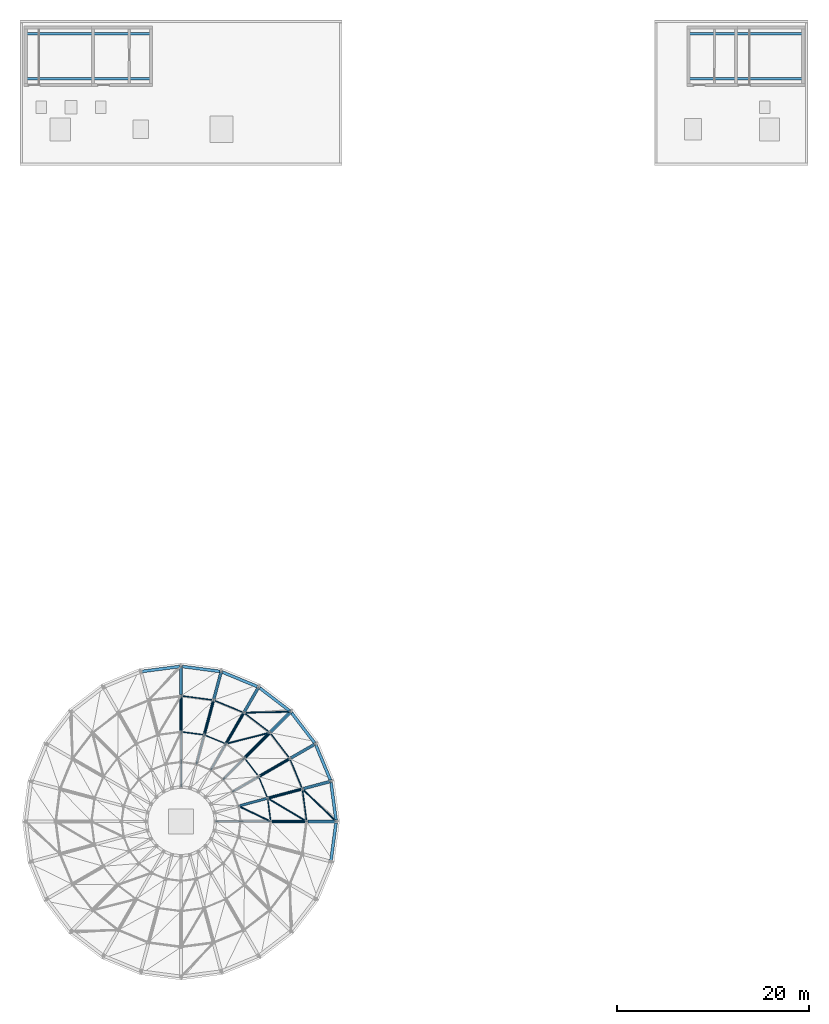
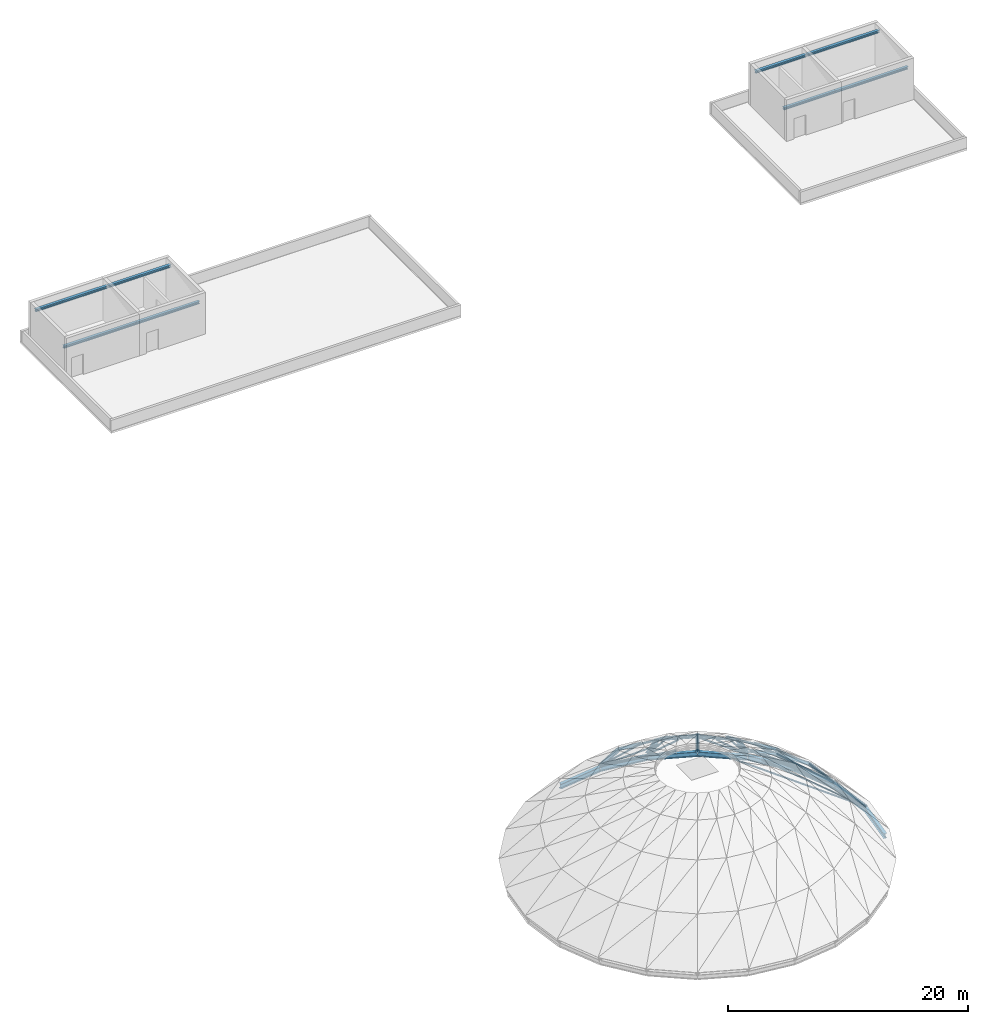
# One storey, part 5 of 19: 32 members, 31 beams.
"""IFC4 building model written with IfcOpenShell, lengths in metres."""

from ifc_helpers import new_model, si_unit, direction, frame, origin, origin_2d, place, context, subcontext, project, spatial, hollow_circle, i_section, extrude, material, material_profile, profile_set, type_object, element, save


model = new_model("IFC4")

# Units and contexts
model_context = context("Model", 3, precision=1e-05, world=origin(), true_north=direction((0.0, 1.0)))
body_context = subcontext(model_context, "Body", "Model", "MODEL_VIEW")
ifc_project = project(units=[si_unit("LENGTHUNIT", "METRE"), si_unit("AREAUNIT", "SQUARE_METRE"), si_unit("VOLUMEUNIT", "CUBIC_METRE"), si_unit("PLANEANGLEUNIT", "RADIAN"), si_unit("MASSUNIT", "GRAM", prefix="KILO")], contexts=[model_context])

# Site, building, storey
site_placement = place(None, origin())
site = spatial("IfcSite", under=ifc_project, at=site_placement, CompositionType="ELEMENT")
building_placement = place(site_placement, origin())
building = spatial("IfcBuilding", under=site, at=building_placement, Name="Montecoro Central Library", CompositionType="ELEMENT")
storey_placement = place(building_placement, frame((0.0, 0.0, 25.5)))
storey = spatial("IfcBuildingStorey", under=building, at=storey_placement, Name="ROOF", CompositionType="ELEMENT", Elevation=25.5)

# Beams
ifc_material_1 = material(Name="Steel S355J2", Category="steel")
ifc_material_profile_1 = material_profile(ifc_material_1, i_section(OverallWidth=0.260009765625, OverallDepth=0.25, WebThickness=0.007568359375, FlangeThickness=0.012451171875, at=origin_2d()), Name="HEA 260")
ifc_profile_set_1 = profile_set([ifc_material_profile_1], Name="Steel S355J2")
beam_type_1 = type_object("IfcBeamType", Name="BM-DR-HEA260", PredefinedType="BEAM", material=ifc_profile_set_1)
beam_1_placement = place(storey_placement, frame((100.631103515625, 37.820068359375, -1.75), z_axis=(-0.832841175818, -0.223182719587, 0.506522506449), x_axis=(0.258844581524, -0.965918983464, 0.0)))
element("IfcBeam", 1, at=beam_1_placement, inside=storey, type_object=beam_type_1, Name="V1-DOME-RIB-02-S3", PredefinedType="BEAM", context=body_context, shape_type="SweptSolid", body=[
    extrude(i_section(OverallWidth=0.260009765625, OverallDepth=0.25, WebThickness=0.007568359375, FlangeThickness=0.012451171875, at=origin_2d()), origin(), (0.0, 0.0, 1.0), 3.652587890625),
])
for number, where, z_axis, x_axis, name in (
    (2, (82.39990234375, 112.85009765625, 2.909912109375), (1.0, 0.0, 0.0), (0.0, 1.0, 0.0), "C2-ROOF-LHPB1"),
    (3, (82.39990234375, 117.550048828125, 3.780029296875), (1.0, 0.0, 0.0), (0.0, 1.0, 0.0), "C2-ROOF-LHPB2"),
):
    element("IfcBeam", number, at=place(storey_placement, frame(where, z_axis=z_axis, x_axis=x_axis)), inside=storey, type_object=beam_type_1, Name=name, PredefinedType="BEAM", context=body_context, shape_type="SweptSolid", body=[
        extrude(i_section(OverallWidth=0.260009765625, OverallDepth=0.25, WebThickness=0.007568359375, FlangeThickness=0.012451171875, at=origin_2d()), origin(), (0.0, 0.0, 1.0), 6.050048828125),
    ])
for number, where, z_axis, x_axis, name in (
    (4, (75.39990234375, 112.85009765625, 2.909912109375), (1.0, 0.0, 0.0), (0.0, 1.0, 0.0), "C2-ROOF-HPB1"),
    (5, (75.39990234375, 117.550048828125, 3.780029296875), (1.0, 0.0, 0.0), (0.0, 1.0, 0.0), "C2-ROOF-HPB2"),
):
    element("IfcBeam", number, at=place(storey_placement, frame(where, z_axis=z_axis, x_axis=x_axis)), inside=storey, type_object=beam_type_1, Name=name, PredefinedType="BEAM", context=body_context, shape_type="SweptSolid", body=[
        extrude(i_section(OverallWidth=0.260009765625, OverallDepth=0.25, WebThickness=0.007568359375, FlangeThickness=0.012451171875, at=origin_2d()), origin(), (0.0, 0.0, 1.0), 7.0),
    ])
for number, where, z_axis, x_axis, name in (
    (6, (144.550048828125, 112.85009765625, 2.909912109375), (1.0, 0.0, 0.0), (0.0, 1.0, 0.0), "C6-ROOF-LHPB1"),
    (7, (144.550048828125, 117.550048828125, 3.780029296875), (1.0, 0.0, 0.0), (0.0, 1.0, 0.0), "C6-ROOF-LHPB2"),
):
    element("IfcBeam", number, at=place(storey_placement, frame(where, z_axis=z_axis, x_axis=x_axis)), inside=storey, type_object=beam_type_1, Name=name, PredefinedType="BEAM", context=body_context, shape_type="SweptSolid", body=[
        extrude(i_section(OverallWidth=0.260009765625, OverallDepth=0.25, WebThickness=0.007568359375, FlangeThickness=0.012451171875, at=origin_2d()), origin(), (0.0, 0.0, 1.0), 4.949951171875),
    ])
for number, where, z_axis, x_axis, name in (
    (8, (149.5, 112.85009765625, 2.909912109375), (1.0, 0.0, 0.0), (0.0, 1.0, 0.0), "C6-ROOF-HPB1"),
    (9, (149.5, 117.550048828125, 3.780029296875), (1.0, 0.0, 0.0), (0.0, 1.0, 0.0), "C6-ROOF-HPB2"),
):
    element("IfcBeam", number, at=place(storey_placement, frame(where, z_axis=z_axis, x_axis=x_axis)), inside=storey, type_object=beam_type_1, Name=name, PredefinedType="BEAM", context=body_context, shape_type="SweptSolid", body=[
        extrude(i_section(OverallWidth=0.260009765625, OverallDepth=0.25, WebThickness=0.007568359375, FlangeThickness=0.012451171875, at=origin_2d()), origin(), (0.0, 0.0, 1.0), 7.0),
    ])
ifc_material_profile_2 = material_profile(ifc_material_1, i_section(OverallWidth=0.300048828125, OverallDepth=0.2900390625, WebThickness=0.008544921875, FlangeThickness=0.013916015625, at=origin_2d()), Name="HEA 300")
ifc_profile_set_2 = profile_set([ifc_material_profile_2], Name="Steel S355J2")
beam_type_2 = type_object("IfcBeamType", Name="BM-DR-HEA300", PredefinedType="BEAM", material=ifc_profile_set_2)
beam_2_placement = place(storey_placement, frame((104.699951171875, 35.39990234375, -4.60009765625), z_axis=(-0.796152205945, 0.0, 0.605096409648), x_axis=(0.0, -1.0, 0.0)))
element("IfcBeam", 10, at=beam_2_placement, inside=storey, type_object=beam_type_2, Name="V1-DOME-RIB-01-S2", PredefinedType="BEAM", context=body_context, shape_type="SweptSolid", body=[
    extrude(i_section(OverallWidth=0.300048828125, OverallDepth=0.2900390625, WebThickness=0.008544921875, FlangeThickness=0.013916015625, at=origin_2d()), origin(), (0.0, 0.0, 1.0), 4.710205078125),
])
beam_3_placement = place(storey_placement, frame((104.25390625, 38.791015625, -4.60009765625), z_axis=(-0.769061716348, -0.206116210386, 0.605029077205), x_axis=(0.25887382123, -0.965911147405, 0.0)))
element("IfcBeam", 11, at=beam_3_placement, inside=storey, type_object=beam_type_2, Name="V1-DOME-RIB-02-S2", PredefinedType="BEAM", context=body_context, shape_type="SweptSolid", body=[
    extrude(i_section(OverallWidth=0.300048828125, OverallDepth=0.2900390625, WebThickness=0.008544921875, FlangeThickness=0.013916015625, at=origin_2d()), origin(), (0.0, 0.0, 1.0), 4.710693359375),
])
beam_4_placement = place(storey_placement, frame((102.945068359375, 41.949951171875, -4.60009765625), z_axis=(-0.689538330018, -0.398049787623, 0.605056408947), x_axis=(0.499947857008, -0.866055506462, 0.0)))
element("IfcBeam", 12, at=beam_4_placement, inside=storey, type_object=beam_type_2, Name="V1-DOME-RIB-03-S2", PredefinedType="BEAM", context=body_context, shape_type="SweptSolid", body=[
    extrude(i_section(OverallWidth=0.300048828125, OverallDepth=0.2900390625, WebThickness=0.008544921875, FlangeThickness=0.013916015625, at=origin_2d()), origin(), (0.0, 0.0, 1.0), 4.71044921875),
])
beam_5_placement = place(storey_placement, frame((100.863037109375, 44.6630859375, -4.60009765625), z_axis=(-0.562999534848, -0.562999534848, 0.605031443415), x_axis=(0.707106781187, -0.707106781187, 0.0)))
element("IfcBeam", 13, at=beam_5_placement, inside=storey, type_object=beam_type_2, Name="V1-DOME-RIB-04-S2", PredefinedType="BEAM", context=body_context, shape_type="SweptSolid", body=[
    extrude(i_section(OverallWidth=0.300048828125, OverallDepth=0.2900390625, WebThickness=0.008544921875, FlangeThickness=0.013916015625, at=origin_2d()), origin(), (0.0, 0.0, 1.0), 4.710693359375),
])
beam_6_placement = place(storey_placement, frame((98.14990234375, 46.7451171875, -4.60009765625), z_axis=(-0.398049787623, -0.689538330018, 0.605056408947), x_axis=(0.866055506462, -0.499947857008, 0.0)))
element("IfcBeam", 14, at=beam_6_placement, inside=storey, type_object=beam_type_2, Name="V1-DOME-RIB-05-S2", PredefinedType="BEAM", context=body_context, shape_type="SweptSolid", body=[
    extrude(i_section(OverallWidth=0.300048828125, OverallDepth=0.2900390625, WebThickness=0.008544921875, FlangeThickness=0.013916015625, at=origin_2d()), origin(), (0.0, 0.0, 1.0), 4.71044921875),
])
beam_7_placement = place(storey_placement, frame((94.990966796875, 48.053955078125, -4.60009765625), z_axis=(-0.206107995178, -0.76908288872, 0.605004962461), x_axis=(0.965915509226, -0.258857545835, 0.0)))
element("IfcBeam", 15, at=beam_7_placement, inside=storey, type_object=beam_type_2, Name="V1-DOME-RIB-06-S2", PredefinedType="BEAM", context=body_context, shape_type="SweptSolid", body=[
    extrude(i_section(OverallWidth=0.300048828125, OverallDepth=0.2900390625, WebThickness=0.008544921875, FlangeThickness=0.013916015625, at=origin_2d()), origin(), (0.0, 0.0, 1.0), 4.7109375),
])
beam_8_placement = place(storey_placement, frame((91.60009765625, 48.5, -4.60009765625), z_axis=(0.0, -0.796152205945, 0.605096409648), x_axis=(1.0, 0.0, 0.0)))
element("IfcBeam", 16, at=beam_8_placement, inside=storey, type_object=beam_type_2, Name="V1-DOME-RIB-07-S2", PredefinedType="BEAM", context=body_context, shape_type="SweptSolid", body=[
    extrude(i_section(OverallWidth=0.300048828125, OverallDepth=0.2900390625, WebThickness=0.008544921875, FlangeThickness=0.013916015625, at=origin_2d()), origin(), (0.0, 0.0, 1.0), 4.710205078125),
])
ifc_material_profile_3 = material_profile(ifc_material_1, i_section(OverallWidth=0.300048828125, OverallDepth=0.330078125, WebThickness=0.009521484375, FlangeThickness=0.0166015625, at=origin_2d()), Name="HEA 340")
ifc_profile_set_3 = profile_set([ifc_material_profile_3], Name="Steel S355J2")
beam_type_3 = type_object("IfcBeamType", Name="BM-DR-HEA340", PredefinedType="BEAM", material=ifc_profile_set_3)
for number, where, z_axis, x_axis, name in (
    (17, (107.780029296875, 35.39990234375, -8.159912109375), (-0.654312299044, 0.0, 0.756224447714), (0.0, -1.0, 0.0), "V1-DOME-RIB-01-S1"),
    (18, (107.22900390625, 39.587890625, -8.159912109375), (-0.632020402488, -0.169285622331, 0.756235802452), (0.258728160853, -0.965950174068, 0.0), "V1-DOME-RIB-02-S1"),
):
    element("IfcBeam", number, at=place(storey_placement, frame(where, z_axis=z_axis, x_axis=x_axis)), inside=storey, type_object=beam_type_3, Name=name, PredefinedType="BEAM", context=body_context, shape_type="SweptSolid", body=[
        extrude(i_section(OverallWidth=0.300048828125, OverallDepth=0.330078125, WebThickness=0.009521484375, FlangeThickness=0.0166015625, at=origin_2d()), origin(), (0.0, 0.0, 1.0), 4.707275390625),
    ])
beam_9_placement = place(storey_placement, frame((105.612060546875, 43.489990234375, -8.159912109375), z_axis=(-0.566588516659, -0.327173229869, 0.756263929093), x_axis=(0.500060979923, -0.865990194147, 0.0)))
element("IfcBeam", 19, at=beam_9_placement, inside=storey, type_object=beam_type_3, Name="V1-DOME-RIB-03-S1", PredefinedType="BEAM", context=body_context, shape_type="SweptSolid", body=[
    extrude(i_section(OverallWidth=0.300048828125, OverallDepth=0.330078125, WebThickness=0.009521484375, FlangeThickness=0.0166015625, at=origin_2d()), origin(), (0.0, 0.0, 1.0), 4.70703125),
])
beam_10_placement = place(storey_placement, frame((103.041015625, 46.841064453125, -8.159912109375), z_axis=(-0.462672841133, -0.462672841133, 0.756219336011), x_axis=(0.707106781187, -0.707106781187, 0.0)))
element("IfcBeam", 20, at=beam_10_placement, inside=storey, type_object=beam_type_3, Name="V1-DOME-RIB-04-S1", PredefinedType="BEAM", context=body_context, shape_type="SweptSolid", body=[
    extrude(i_section(OverallWidth=0.300048828125, OverallDepth=0.330078125, WebThickness=0.009521484375, FlangeThickness=0.0166015625, at=origin_2d()), origin(), (0.0, 0.0, 1.0), 4.707275390625),
])
beam_11_placement = place(storey_placement, frame((99.68994140625, 49.412109375, -8.159912109375), z_axis=(-0.327173229869, -0.566588516659, 0.756263929093), x_axis=(0.865990194147, -0.500060979923, 0.0)))
element("IfcBeam", 21, at=beam_11_placement, inside=storey, type_object=beam_type_3, Name="V1-DOME-RIB-05-S1", PredefinedType="BEAM", context=body_context, shape_type="SweptSolid", body=[
    extrude(i_section(OverallWidth=0.300048828125, OverallDepth=0.330078125, WebThickness=0.009521484375, FlangeThickness=0.0166015625, at=origin_2d()), origin(), (0.0, 0.0, 1.0), 4.70703125),
])
for number, where, z_axis, x_axis, name in (
    (22, (95.7880859375, 51.029052734375, -8.159912109375), (-0.169335999822, -0.63201485263, 0.756229161841), (0.9659303613, -0.258802119616, 0.0), "V1-DOME-RIB-06-S1"),
    (23, (91.60009765625, 51.580078125, -8.159912109375), (0.0, -0.654312299044, 0.756224447714), (1.0, 0.0, 0.0), "V1-DOME-RIB-07-S1"),
):
    element("IfcBeam", number, at=place(storey_placement, frame(where, z_axis=z_axis, x_axis=x_axis)), inside=storey, type_object=beam_type_3, Name=name, PredefinedType="BEAM", context=body_context, shape_type="SweptSolid", body=[
        extrude(i_section(OverallWidth=0.300048828125, OverallDepth=0.330078125, WebThickness=0.009521484375, FlangeThickness=0.0166015625, at=origin_2d()), origin(), (0.0, 0.0, 1.0), 4.707275390625),
    ])
ifc_material_profile_4 = material_profile(ifc_material_1, i_section(OverallWidth=0.300048828125, OverallDepth=0.5, WebThickness=0.014404296875, FlangeThickness=0.028076171875, at=origin_2d()), Name="HEB 500")
ifc_profile_set_4 = profile_set([ifc_material_profile_4], Name="Steel S355J2")
beam_type_4 = type_object("IfcBeamType", Name="BM-RG-HEB500", PredefinedType="USERDEFINED", material=ifc_profile_set_4)
for number, where, z_axis, x_axis, name in (
    (24, (107.779052734375, 35.409912109375, -8.409912109375), (-0.130607740177, 0.99143412197, 0.0), (-0.99143412197, -0.130607740177, 0.0), "V1-L03-RING-01"),
    (25, (107.22509765625, 39.596923828125, -8.409912109375), (-0.382746700319, 0.923853323529, 0.0), (-0.923853323529, -0.382746700319, 0.0), "V1-L03-RING-02"),
):
    element("IfcBeam", number, at=place(storey_placement, frame(where, z_axis=z_axis, x_axis=x_axis)), inside=storey, type_object=beam_type_4, Name=name, ObjectType="GIRDER", PredefinedType="USERDEFINED", context=body_context, shape_type="SweptSolid", body=[
        extrude(i_section(OverallWidth=0.300048828125, OverallDepth=0.5, WebThickness=0.014404296875, FlangeThickness=0.028076171875, at=origin_2d()), origin(), (0.0, 0.0, 1.0), 4.2041015625),
    ])
for number, where, z_axis, x_axis, name in (
    (26, (105.60595703125, 43.498046875, -8.409912109375), (-0.608736327249, 0.793372600918, 0.0), (-0.793372600918, -0.608736327249, 0.0), "V1-L03-RING-03"),
    (27, (103.032958984375, 46.846923828125, -8.409912109375), (-0.793344551064, 0.608772883181, 0.0), (-0.608772883181, -0.793344551064, 0.0), "V1-L03-RING-04"),
):
    element("IfcBeam", number, at=place(storey_placement, frame(where, z_axis=z_axis, x_axis=x_axis)), inside=storey, type_object=beam_type_4, Name=name, ObjectType="GIRDER", PredefinedType="USERDEFINED", context=body_context, shape_type="SweptSolid", body=[
        extrude(i_section(OverallWidth=0.300048828125, OverallDepth=0.5, WebThickness=0.014404296875, FlangeThickness=0.028076171875, at=origin_2d()), origin(), (0.0, 0.0, 1.0), 4.20361328125),
    ])
beam_12_placement = place(storey_placement, frame((99.680908203125, 49.416015625, -8.409912109375), z_axis=(-0.923865350906, 0.382717667995, 0.0), x_axis=(-0.382717667995, -0.923865350906, 0.0)))
element("IfcBeam", 28, at=beam_12_placement, inside=storey, type_object=beam_type_4, Name="V1-L03-RING-05", ObjectType="GIRDER", PredefinedType="USERDEFINED", context=body_context, shape_type="SweptSolid", body=[
    extrude(i_section(OverallWidth=0.300048828125, OverallDepth=0.5, WebThickness=0.014404296875, FlangeThickness=0.028076171875, at=origin_2d()), origin(), (0.0, 0.0, 1.0), 4.203857421875),
])
for number, where, z_axis, x_axis, name in (
    (29, (95.778076171875, 51.030029296875, -8.409912109375), (-0.99143412197, 0.130607740177, 0.0), (-0.130607740177, -0.99143412197, 0.0), "V1-L03-RING-06"),
    (30, (91.590087890625, 51.5791015625, -8.409912109375), (-0.99143412197, -0.130607740177, 0.0), (0.130607740177, -0.99143412197, 0.0), "V1-L03-RING-07"),
    (31, (107.22998046875, 31.221923828125, -8.409912109375), (0.130607740177, 0.99143412197, 0.0), (-0.99143412197, 0.130607740177, 0.0), "V1-L03-RING-24"),
):
    element("IfcBeam", number, at=place(storey_placement, frame(where, z_axis=z_axis, x_axis=x_axis)), inside=storey, type_object=beam_type_4, Name=name, ObjectType="GIRDER", PredefinedType="USERDEFINED", context=body_context, shape_type="SweptSolid", body=[
        extrude(i_section(OverallWidth=0.300048828125, OverallDepth=0.5, WebThickness=0.014404296875, FlangeThickness=0.028076171875, at=origin_2d()), origin(), (0.0, 0.0, 1.0), 4.2041015625),
    ])

# Members
ifc_material_2 = material(Name="Steel S355", Category="steel")
ifc_material_profile_5 = material_profile(ifc_material_2, hollow_circle(Radius=0.084228515625, WallThickness=0.008056640625, at=origin_2d()), Name="CHS 168.3x8.0")
ifc_profile_set_5 = profile_set([ifc_material_profile_5], Name="Steel S355")
member_type_1 = type_object("IfcMemberType", Name="MB-BR-CHS168", PredefinedType="BRACE", material=ifc_profile_set_5)
member_1_placement = place(storey_placement, frame((107.77392578125, 35.406005859375, -8.154052734375), z_axis=(-0.582797509455, 0.560405581245, 0.58846635204), x_axis=(-0.693123728911, -0.720818629351, 0.0)))
element("IfcMember", 32, at=member_1_placement, inside=storey, type_object=member_type_1, Name="V1-DOME-BR-B1-S1", PredefinedType="BRACE", context=body_context, shape_type="SweptSolid", body=[
    extrude(hollow_circle(Radius=0.084228515625, WallThickness=0.008056640625, at=origin_2d()), origin(), (0.0, 0.0, 1.0), 6.029296875),
])
member_2_placement = place(storey_placement, frame((104.693115234375, 35.404052734375, -4.594970703125), z_axis=(-0.736360272063, 0.43795924911, 0.515718184522), x_axis=(-0.511181809617, -0.859472604285, 0.0)))
element("IfcMember", 33, at=member_2_placement, inside=storey, type_object=member_type_1, Name="V1-DOME-BR-B1-S2", PredefinedType="BRACE", context=body_context, shape_type="SweptSolid", body=[
    extrude(hollow_circle(Radius=0.084228515625, WallThickness=0.008056640625, at=origin_2d()), origin(), (0.0, 0.0, 1.0), 5.507080078125),
])
member_3_placement = place(storey_placement, frame((100.94189453125, 35.404052734375, -1.74609375), z_axis=(-0.808140540058, 0.38581470495, 0.445034696354), x_axis=(-0.430830779697, -0.902432733929, 0.0)))
element("IfcMember", 34, at=member_3_placement, inside=storey, type_object=member_type_1, Name="V1-DOME-BR-B1-S3", PredefinedType="BRACE", context=body_context, shape_type="SweptSolid", body=[
    extrude(hollow_circle(Radius=0.084228515625, WallThickness=0.008056640625, at=origin_2d()), origin(), (0.0, 0.0, 1.0), 4.13916015625),
])
member_4_placement = place(storey_placement, frame((103.032958984375, 46.841064453125, -8.154052734375), z_axis=(-0.808425318114, -0.015911015125, 0.588383671281), x_axis=(0.01967767957, -0.999806375718, 0.0)))
element("IfcMember", 35, at=member_4_placement, inside=storey, type_object=member_type_1, Name="V1-DOME-BR-B2-S1", PredefinedType="BRACE", context=body_context, shape_type="SweptSolid", body=[
    extrude(hollow_circle(Radius=0.084228515625, WallThickness=0.008056640625, at=origin_2d()), origin(), (0.0, 0.0, 1.0), 6.0302734375),
])
member_5_placement = place(storey_placement, frame((100.85498046875, 44.660888671875, -4.594970703125), z_axis=(-0.830324563727, -0.211006279638, 0.515788201518), x_axis=(0.246296610635, -0.969194500392, 0.0)))
element("IfcMember", 36, at=member_5_placement, inside=storey, type_object=member_type_1, Name="V1-DOME-BR-B2-S2", PredefinedType="BRACE", context=body_context, shape_type="SweptSolid", body=[
    extrude(hollow_circle(Radius=0.084228515625, WallThickness=0.008056640625, at=origin_2d()), origin(), (0.0, 0.0, 1.0), 5.50634765625),
])
member_6_placement = place(storey_placement, frame((107.764892578125, 35.39990234375, -8.14599609375), z_axis=(-0.729148477496, 0.0, 0.68435553462), x_axis=(0.0, -1.0, 0.0)))
element("IfcMember", 37, at=member_6_placement, inside=storey, type_object=member_type_1, Name="V1-DOME-SPK-R2-01", PredefinedType="BRACE", context=body_context, shape_type="SweptSolid", body=[
    extrude(hollow_circle(Radius=0.084228515625, WallThickness=0.008056640625, at=origin_2d()), origin(), (0.0, 0.0, 1.0), 9.32568359375),
])
member_7_placement = place(storey_placement, frame((107.764892578125, 35.39990234375, -8.14697265625), z_axis=(-0.770415452157, 0.0, 0.637542179842), x_axis=(0.0, -1.0, 0.0)))
element("IfcMember", 38, at=member_7_placement, inside=storey, type_object=member_type_1, Name="V1-DOME-SPK-R3-01", PredefinedType="BRACE", context=body_context, shape_type="SweptSolid", body=[
    extrude(hollow_circle(Radius=0.084228515625, WallThickness=0.008056640625, at=origin_2d()), origin(), (0.0, 0.0, 1.0), 12.9150390625),
])
member_8_placement = place(storey_placement, frame((107.763916015625, 35.39990234375, -8.14794921875), z_axis=(-0.80719367696, 0.0, 0.590286682787), x_axis=(0.0, -1.0, 0.0)))
element("IfcMember", 39, at=member_8_placement, inside=storey, type_object=member_type_1, Name="V1-DOME-SPK-R4-01", PredefinedType="BRACE", context=body_context, shape_type="SweptSolid", body=[
    extrude(hollow_circle(Radius=0.084228515625, WallThickness=0.008056640625, at=origin_2d()), origin(), (0.0, 0.0, 1.0), 15.544921875),
])
member_9_placement = place(storey_placement, frame((107.215087890625, 39.583984375, -8.14599609375), z_axis=(-0.704408021298, -0.188698949334, 0.684252910882), x_axis=(0.258759409268, -0.96594180369, 0.0)))
element("IfcMember", 40, at=member_9_placement, inside=storey, type_object=member_type_1, Name="V1-DOME-SPK-R2-02", PredefinedType="BRACE", context=body_context, shape_type="SweptSolid", body=[
    extrude(hollow_circle(Radius=0.084228515625, WallThickness=0.008056640625, at=origin_2d()), origin(), (0.0, 0.0, 1.0), 9.3271484375),
])
member_10_placement = place(storey_placement, frame((107.214111328125, 39.583984375, -8.14697265625), z_axis=(-0.744139567193, -0.199386226029, 0.637574652419), x_axis=(0.258812541456, -0.965927568913, 0.0)))
element("IfcMember", 41, at=member_10_placement, inside=storey, type_object=member_type_1, Name="V1-DOME-SPK-R3-02", PredefinedType="BRACE", context=body_context, shape_type="SweptSolid", body=[
    extrude(hollow_circle(Radius=0.084228515625, WallThickness=0.008056640625, at=origin_2d()), origin(), (0.0, 0.0, 1.0), 12.914306640625),
])
member_11_placement = place(storey_placement, frame((105.59912109375, 43.48291015625, -8.14599609375), z_axis=(-0.631459982848, -0.364656229213, 0.684312884986), x_axis=(0.500084994269, -0.865976326759, 0.0)))
element("IfcMember", 42, at=member_11_placement, inside=storey, type_object=member_type_1, Name="V1-DOME-SPK-R2-03", PredefinedType="BRACE", context=body_context, shape_type="SweptSolid", body=[
    extrude(hollow_circle(Radius=0.084228515625, WallThickness=0.008056640625, at=origin_2d()), origin(), (0.0, 0.0, 1.0), 9.326171875),
])
member_12_placement = place(storey_placement, frame((105.59912109375, 43.48193359375, -8.14697265625), z_axis=(-0.667233115116, -0.38512976695, 0.637553944934), x_axis=(0.499905126525, -0.866080172082, 0.0)))
element("IfcMember", 43, at=member_12_placement, inside=storey, type_object=member_type_1, Name="V1-DOME-SPK-R3-03", PredefinedType="BRACE", context=body_context, shape_type="SweptSolid", body=[
    extrude(hollow_circle(Radius=0.084228515625, WallThickness=0.008056640625, at=origin_2d()), origin(), (0.0, 0.0, 1.0), 12.914794921875),
])
member_13_placement = place(storey_placement, frame((103.031005859375, 46.8310546875, -8.14599609375), z_axis=(-0.515679746126, -0.515679746126, 0.684214000786), x_axis=(0.707106781187, -0.707106781187, 0.0)))
element("IfcMember", 44, at=member_13_placement, inside=storey, type_object=member_type_1, Name="V1-DOME-SPK-R2-04", PredefinedType="BRACE", context=body_context, shape_type="SweptSolid", body=[
    extrude(hollow_circle(Radius=0.084228515625, WallThickness=0.008056640625, at=origin_2d()), origin(), (0.0, 0.0, 1.0), 9.32763671875),
])
member_14_placement = place(storey_placement, frame((103.030029296875, 46.830078125, -8.14697265625), z_axis=(-0.544736276046, -0.544755180654, 0.637576805342), x_axis=(0.707119050636, -0.707094511524, 0.0)))
element("IfcMember", 45, at=member_14_placement, inside=storey, type_object=member_type_1, Name="V1-DOME-SPK-R3-04", PredefinedType="BRACE", context=body_context, shape_type="SweptSolid", body=[
    extrude(hollow_circle(Radius=0.084228515625, WallThickness=0.008056640625, at=origin_2d()), origin(), (0.0, 0.0, 1.0), 12.914306640625),
])
member_15_placement = place(storey_placement, frame((99.68310546875, 49.39892578125, -8.14599609375), z_axis=(-0.364684953813, -0.631438214838, 0.684317664031), x_axis=(0.865951800525, -0.500127462921, 0.0)))
element("IfcMember", 46, at=member_15_placement, inside=storey, type_object=member_type_1, Name="V1-DOME-SPK-R2-05", PredefinedType="BRACE", context=body_context, shape_type="SweptSolid", body=[
    extrude(hollow_circle(Radius=0.084228515625, WallThickness=0.008056640625, at=origin_2d()), origin(), (0.0, 0.0, 1.0), 9.326171875),
])
member_16_placement = place(storey_placement, frame((99.681884765625, 49.39892578125, -8.14697265625), z_axis=(-0.385134624741, -0.667222627018, 0.63756198665), x_axis=(0.866074039807, -0.499915750474, 0.0)))
element("IfcMember", 47, at=member_16_placement, inside=storey, type_object=member_type_1, Name="V1-DOME-SPK-R3-05", PredefinedType="BRACE", context=body_context, shape_type="SweptSolid", body=[
    extrude(hollow_circle(Radius=0.084228515625, WallThickness=0.008056640625, at=origin_2d()), origin(), (0.0, 0.0, 1.0), 12.91455078125),
])
member_17_placement = place(storey_placement, frame((95.783935546875, 51.014892578125, -8.14599609375), z_axis=(-0.188702428637, -0.704394833488, 0.684265527395), x_axis=(0.965939400235, -0.258768381133, 0.0)))
element("IfcMember", 48, at=member_17_placement, inside=storey, type_object=member_type_1, Name="V1-DOME-SPK-R2-06", PredefinedType="BRACE", context=body_context, shape_type="SweptSolid", body=[
    extrude(hollow_circle(Radius=0.084228515625, WallThickness=0.008056640625, at=origin_2d()), origin(), (0.0, 0.0, 1.0), 9.326904296875),
])
member_18_placement = place(storey_placement, frame((95.783935546875, 51.013916015625, -8.14697265625), z_axis=(-0.199389030942, -0.744131130743, 0.637583621652), x_axis=(0.965925925137, -0.258818676196, 0.0)))
element("IfcMember", 49, at=member_18_placement, inside=storey, type_object=member_type_1, Name="V1-DOME-SPK-R3-06", PredefinedType="BRACE", context=body_context, shape_type="SweptSolid", body=[
    extrude(hollow_circle(Radius=0.084228515625, WallThickness=0.008056640625, at=origin_2d()), origin(), (0.0, 0.0, 1.0), 12.914306640625),
])
member_19_placement = place(storey_placement, frame((91.60009765625, 51.56494140625, -8.14599609375), z_axis=(0.0, -0.729160738068, 0.684342471326), x_axis=(1.0, 0.0, 0.0)))
element("IfcMember", 50, at=member_19_placement, inside=storey, type_object=member_type_1, Name="V1-DOME-SPK-R2-07", PredefinedType="BRACE", context=body_context, shape_type="SweptSolid", body=[
    extrude(hollow_circle(Radius=0.084228515625, WallThickness=0.008056640625, at=origin_2d()), origin(), (0.0, 0.0, 1.0), 9.325927734375),
])
member_20_placement = place(storey_placement, frame((91.60009765625, 51.56494140625, -8.14697265625), z_axis=(0.0, -0.770415452157, 0.637542179842), x_axis=(1.0, 0.0, 0.0)))
element("IfcMember", 51, at=member_20_placement, inside=storey, type_object=member_type_1, Name="V1-DOME-SPK-R3-07", PredefinedType="BRACE", context=body_context, shape_type="SweptSolid", body=[
    extrude(hollow_circle(Radius=0.084228515625, WallThickness=0.008056640625, at=origin_2d()), origin(), (0.0, 0.0, 1.0), 12.9150390625),
])
member_21_placement = place(storey_placement, frame((91.60009765625, 51.56396484375, -8.14794921875), z_axis=(0.0, -0.80719367696, 0.590286682787), x_axis=(1.0, 0.0, 0.0)))
element("IfcMember", 52, at=member_21_placement, inside=storey, type_object=member_type_1, Name="V1-DOME-SPK-R4-07", PredefinedType="BRACE", context=body_context, shape_type="SweptSolid", body=[
    extrude(hollow_circle(Radius=0.084228515625, WallThickness=0.008056640625, at=origin_2d()), origin(), (0.0, 0.0, 1.0), 15.544921875),
])
ifc_material_profile_6 = material_profile(ifc_material_2, i_section(OverallWidth=0.08203125, OverallDepth=0.159912109375, WebThickness=0.0048828125, FlangeThickness=0.00732421875, at=origin_2d()), Name="IPE 160")
ifc_profile_set_6 = profile_set([ifc_material_profile_6], Name="Steel S355")
member_type_2 = type_object("IfcMemberType", Name="MB-PR-IPE160", PredefinedType="PURLIN", material=ifc_profile_set_6)
member_22_placement = place(storey_placement, frame((104.698974609375, 35.409912109375, -4.60009765625), z_axis=(-0.130606814149, 0.991434243961, 0.0), x_axis=(-0.991434243961, -0.130606814149, 0.0)))
element("IfcMember", 53, at=member_22_placement, inside=storey, type_object=member_type_2, Name="V1-DOME-RNG1-01", PredefinedType="PURLIN", context=body_context, shape_type="SweptSolid", body=[
    extrude(i_section(OverallWidth=0.08203125, OverallDepth=0.159912109375, WebThickness=0.0048828125, FlangeThickness=0.00732421875, at=origin_2d()), origin(), (0.0, 0.0, 1.0), 3.400146484375),
])
member_23_placement = place(storey_placement, frame((104.25, 38.800048828125, -4.60009765625), z_axis=(-0.382692168307, 0.923875913917, 0.0), x_axis=(-0.923875913917, -0.382692168307, 0.0)))
element("IfcMember", 54, at=member_23_placement, inside=storey, type_object=member_type_2, Name="V1-DOME-RNG1-02", PredefinedType="PURLIN", context=body_context, shape_type="SweptSolid", body=[
    extrude(i_section(OverallWidth=0.08203125, OverallDepth=0.159912109375, WebThickness=0.0048828125, FlangeThickness=0.00732421875, at=origin_2d()), origin(), (0.0, 0.0, 1.0), 3.399658203125),
])
for number, where, z_axis, x_axis, name in (
    (55, (102.93896484375, 41.9580078125, -4.60009765625), (-0.6088671291, 0.79327222257, 0.0), (-0.79327222257, -0.6088671291, 0.0), "V1-DOME-RNG1-03"),
    (56, (100.85498046875, 44.6689453125, -4.60009765625), (-0.79327222257, 0.6088671291, 0.0), (-0.6088671291, -0.79327222257, 0.0), "V1-DOME-RNG1-04"),
    (57, (98.14111328125, 46.7490234375, -4.60009765625), (-0.92388643014, 0.382666779591, 0.0), (-0.382666779591, -0.92388643014, 0.0), "V1-DOME-RNG1-05"),
    (58, (94.98095703125, 48.054931640625, -4.60009765625), (-0.991433019031, 0.130616112234, 0.0), (-0.130616112234, -0.991433019031, 0.0), "V1-DOME-RNG1-06"),
):
    element("IfcMember", number, at=place(storey_placement, frame(where, z_axis=z_axis, x_axis=x_axis)), inside=storey, type_object=member_type_2, Name=name, PredefinedType="PURLIN", context=body_context, shape_type="SweptSolid", body=[
        extrude(i_section(OverallWidth=0.08203125, OverallDepth=0.159912109375, WebThickness=0.0048828125, FlangeThickness=0.00732421875, at=origin_2d()), origin(), (0.0, 0.0, 1.0), 3.39990234375),
    ])
for number, where, z_axis, x_axis, name in (
    (59, (100.948974609375, 35.409912109375, -1.75), (-0.130895356993, 0.991396189985, 0.0), (-0.991396189985, -0.130895356993, 0.0), "V1-DOME-RNG2-01"),
    (60, (100.626953125, 37.8291015625, -1.75), (-0.382509148006, 0.923951704199, 0.0), (-0.923951704199, -0.382509148006, 0.0), "V1-DOME-RNG2-02"),
):
    element("IfcMember", number, at=place(storey_placement, frame(where, z_axis=z_axis, x_axis=x_axis)), inside=storey, type_object=member_type_2, Name=name, PredefinedType="PURLIN", context=body_context, shape_type="SweptSolid", body=[
        extrude(i_section(OverallWidth=0.08203125, OverallDepth=0.159912109375, WebThickness=0.0048828125, FlangeThickness=0.00732421875, at=origin_2d()), origin(), (0.0, 0.0, 1.0), 2.4208984375),
    ])
member_24_placement = place(storey_placement, frame((99.69091796875, 40.0830078125, -1.75), z_axis=(-0.608935404137, 0.793219814168, 0.0), x_axis=(-0.793219814168, -0.608935404137, 0.0)))
element("IfcMember", 61, at=member_24_placement, inside=storey, type_object=member_type_2, Name="V1-DOME-RNG2-03", PredefinedType="PURLIN", context=body_context, shape_type="SweptSolid", body=[
    extrude(i_section(OverallWidth=0.08203125, OverallDepth=0.159912109375, WebThickness=0.0048828125, FlangeThickness=0.00732421875, at=origin_2d()), origin(), (0.0, 0.0, 1.0), 2.42041015625),
])
member_25_placement = place(storey_placement, frame((96.26611328125, 43.5009765625, -1.75), z_axis=(-0.923966457253, 0.382473510025, 0.0), x_axis=(-0.382473510025, -0.923966457253, 0.0)))
element("IfcMember", 62, at=member_25_placement, inside=storey, type_object=member_type_2, Name="V1-DOME-RNG2-05", PredefinedType="PURLIN", context=body_context, shape_type="SweptSolid", body=[
    extrude(i_section(OverallWidth=0.08203125, OverallDepth=0.159912109375, WebThickness=0.0048828125, FlangeThickness=0.00732421875, at=origin_2d()), origin(), (0.0, 0.0, 1.0), 2.421142578125),
])
member_26_placement = place(storey_placement, frame((94.010009765625, 44.431884765625, -1.75), z_axis=(-0.991381368106, 0.131007568379, 0.0), x_axis=(-0.131007568379, -0.991381368106, 0.0)))
element("IfcMember", 63, at=member_26_placement, inside=storey, type_object=member_type_2, Name="V1-DOME-RNG2-06", PredefinedType="PURLIN", context=body_context, shape_type="SweptSolid", body=[
    extrude(i_section(OverallWidth=0.08203125, OverallDepth=0.159912109375, WebThickness=0.0048828125, FlangeThickness=0.00732421875, at=origin_2d()), origin(), (0.0, 0.0, 1.0), 2.420654296875),
])

save(model, "model.ifc")
